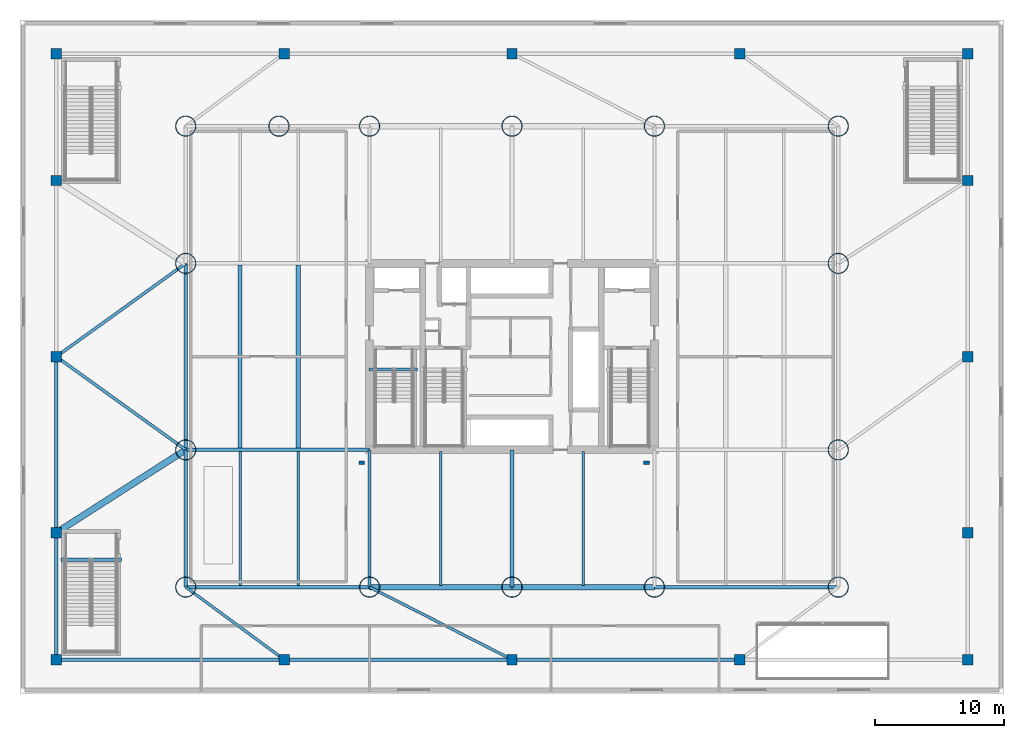
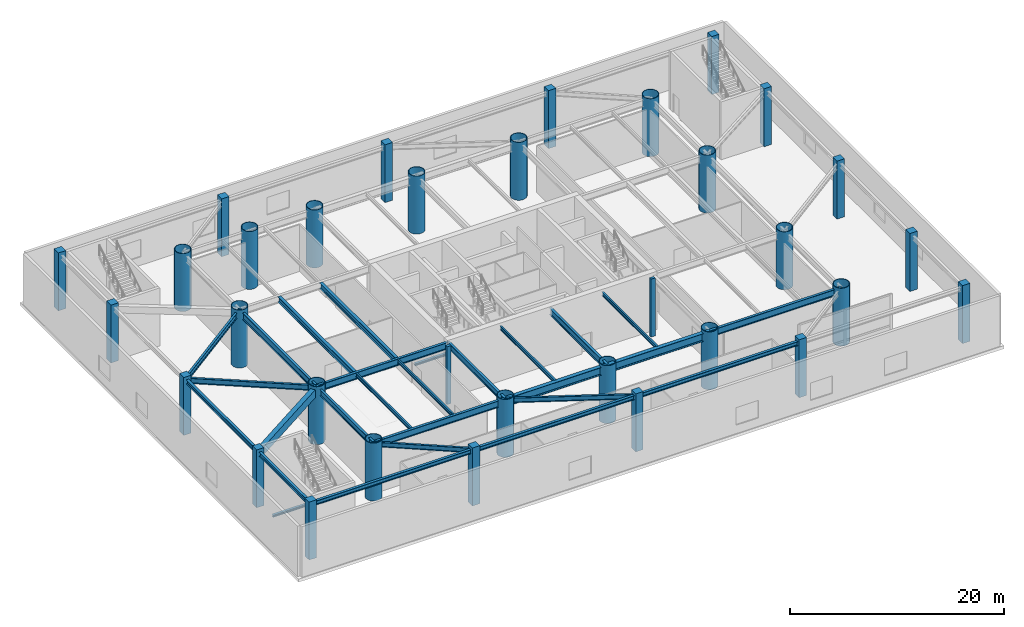
# One storey, part 1 of 16: 33 columns, 27 beams.
"""IFC4 building model written with IfcOpenShell, lengths in metres."""

from ifc_helpers import new_model, si_unit, direction, frame, origin, origin_2d, place, context, subcontext, project, spatial, rectangle, hollow_circle, i_section, extrude, material, material_profile, profile_set, type_object, element, save


model = new_model("IFC4")

# Units and contexts
model_context = context("Model", 3, precision=1e-05, world=origin(), true_north=direction((0.0, 1.0)))
body_context = subcontext(model_context, "Body", "Model", "MODEL_VIEW")
ifc_project = project(units=[si_unit("LENGTHUNIT", "METRE"), si_unit("AREAUNIT", "SQUARE_METRE"), si_unit("VOLUMEUNIT", "CUBIC_METRE"), si_unit("PLANEANGLEUNIT", "RADIAN"), si_unit("MASSUNIT", "GRAM", prefix="KILO")], contexts=[model_context])

# Site, building, storey
site_placement = place(None, origin())
site = spatial("IfcSite", under=ifc_project, at=site_placement, CompositionType="ELEMENT")
building_placement = place(site_placement, origin())
building = spatial("IfcBuilding", under=site, at=building_placement, Name="Bramvorn Convention Spire", CompositionType="ELEMENT")
storey_placement = place(building_placement, frame((0.0, 0.0, 12.0)))
storey = spatial("IfcBuildingStorey", under=building, at=storey_placement, Name="L02", CompositionType="ELEMENT", Elevation=12.0)

# Columns
ifc_material_1 = material(Name="Steel CSA G40.21 Grade 350 (350W)", Category="steel")
ifc_material_profile_1 = material_profile(ifc_material_1, hollow_circle(Radius=0.800048828125, WallThickness=0.06005859375, at=origin_2d()))
ifc_profile_set_1 = profile_set([ifc_material_profile_1], Name="Steel CSA G40.21 Grade 350 (350W) - CFT1600X60")
column_type_1 = type_object("IfcColumnType", Name="COL-CFT1600X60", PredefinedType="COLUMN", material=ifc_profile_set_1)
for number, where, z_axis, x_axis, name in (
    (1, (12.800048828125, 8.199951171875, 0.0), (0.0, 0.0, 1.0), (1.0, 0.0, 0.0), "L02 podium transfer mega-column PR01"),
    (2, (27.0, 8.199951171875, 0.0), (0.0, 0.0, 1.0), (1.0, 0.0, 0.0), "L02 podium transfer mega-column PR02"),
    (3, (38.0, 8.199951171875, 0.0), (0.0, 0.0, 1.0), (1.0, 0.0, 0.0), "L02 podium transfer mega-column PR13"),
    (4, (49.0, 8.199951171875, 0.0), (0.0, 0.0, 1.0), (1.0, 0.0, 0.0), "L02 podium transfer mega-column PR03"),
    (5, (63.199951171875, 8.199951171875, 0.0), (0.0, 0.0, 1.0), (1.0, 0.0, 0.0), "L02 podium transfer mega-column PR04"),
    (6, (12.800048828125, 18.800048828125, 0.0), (0.0, 0.0, 1.0), (1.0, 0.0, 0.0), "L02 podium transfer mega-column PR05"),
    (7, (63.199951171875, 18.800048828125, 0.0), (0.0, 0.0, 1.0), (1.0, 0.0, 0.0), "L02 podium transfer mega-column PR06"),
    (8, (12.800048828125, 33.199951171875, 0.0), (0.0, 0.0, 1.0), (1.0, 0.0, 0.0), "L02 podium transfer mega-column PR07"),
    (9, (63.199951171875, 33.199951171875, 0.0), (0.0, 0.0, 1.0), (1.0, 0.0, 0.0), "L02 podium transfer mega-column PR08"),
    (10, (12.800048828125, 43.800048828125, 0.0), (0.0, 0.0, 1.0), (1.0, 0.0, 0.0), "L02 podium transfer mega-column PR09"),
    (11, (20.0, 43.800048828125, 0.0), (0.0, 0.0, 1.0), (1.0, 0.0, 0.0), "L02 podium transfer mega-column PR15"),
    (12, (27.0, 43.800048828125, 0.0), (0.0, 0.0, 1.0), (1.0, 0.0, 0.0), "L02 podium transfer mega-column PR10"),
    (13, (38.0, 43.800048828125, 0.0), (0.0, 0.0, 1.0), (1.0, 0.0, 0.0), "L02 podium transfer mega-column PR14"),
    (14, (49.0, 43.800048828125, 0.0), (0.0, 0.0, 1.0), (1.0, 0.0, 0.0), "L02 podium transfer mega-column PR11"),
    (15, (63.199951171875, 43.800048828125, 0.0), (0.0, 0.0, 1.0), (1.0, 0.0, 0.0), "L02 podium transfer mega-column PR12"),
):
    element("IfcColumn", number, at=place(storey_placement, frame(where, z_axis=z_axis, x_axis=x_axis)), inside=storey, type_object=column_type_1, Name=name, PredefinedType="COLUMN", context=body_context, shape_type="SweptSolid", body=[
        extrude(hollow_circle(Radius=0.800048828125, WallThickness=0.06005859375, at=origin_2d()), origin(), (0.0, 0.0, 1.0), 6.60009765625),
    ])
ifc_material_2 = material(Name="Concrete C40/50 Precast Limestone Pilaster", Category="masonry")
ifc_material_profile_2 = material_profile(ifc_material_2, rectangle(XDim=0.449951171875, YDim=0.300048828125, at=origin_2d()))
ifc_profile_set_2 = profile_set([ifc_material_profile_2], Name="Concrete C40/50 Precast Limestone Pilaster - PILASTER450X300")
column_type_2 = type_object("IfcColumnType", Name="COL-PILASTER-450", PredefinedType="PILASTER", material=ifc_profile_set_2)
for number, where, z_axis, x_axis, name in (
    (16, (26.39990234375, 17.800048828125, 0.0), (0.0, 0.0, 1.0), (1.0, 0.0, 0.0), "L02 Foyer architectural pilaster 1"),
    (17, (48.39990234375, 17.800048828125, 0.0), (0.0, 0.0, 1.0), (1.0, 0.0, 0.0), "L02 Foyer architectural pilaster 2"),
):
    element("IfcColumn", number, at=place(storey_placement, frame(where, z_axis=z_axis, x_axis=x_axis)), inside=storey, type_object=column_type_2, Name=name, PredefinedType="PILASTER", context=body_context, shape_type="SweptSolid", body=[
        extrude(rectangle(XDim=0.449951171875, YDim=0.300048828125, at=origin_2d()), origin(), (0.0, 0.0, 1.0), 6.60009765625),
    ])
ifc_material_3 = material(Name="Concrete C60/70", Category="concrete")
ifc_material_profile_3 = material_profile(ifc_material_3, rectangle(XDim=0.800048828125, YDim=0.800048828125, at=origin_2d()))
ifc_profile_set_3 = profile_set([ifc_material_profile_3], Name="Concrete C60/70 - RC800X800")
column_type_3 = type_object("IfcColumnType", Name="COL-RC800X800", PredefinedType="COLUMN", material=ifc_profile_set_3)
for number, where, z_axis, x_axis, name in (
    (18, (2.800048828125, 2.60009765625, 0.0), (0.0, 0.0, 1.0), (1.0, 0.0, 0.0), "L02 podium perimeter column PC01"),
    (19, (2.800048828125, 12.39990234375, 0.0), (0.0, 0.0, 1.0), (1.0, 0.0, 0.0), "L02 podium perimeter column PC02"),
    (20, (2.800048828125, 26.0, 0.0), (0.0, 0.0, 1.0), (1.0, 0.0, 0.0), "L02 podium perimeter column PC03"),
    (21, (2.800048828125, 39.60009765625, 0.0), (0.0, 0.0, 1.0), (1.0, 0.0, 0.0), "L02 podium perimeter column PC04"),
    (22, (2.800048828125, 49.39990234375, 0.0), (0.0, 0.0, 1.0), (1.0, 0.0, 0.0), "L02 podium perimeter column PC05"),
    (23, (73.199951171875, 2.60009765625, 0.0), (0.0, 0.0, 1.0), (1.0, 0.0, 0.0), "L02 podium perimeter column PC06"),
    (24, (73.199951171875, 12.39990234375, 0.0), (0.0, 0.0, 1.0), (1.0, 0.0, 0.0), "L02 podium perimeter column PC07"),
    (25, (73.199951171875, 26.0, 0.0), (0.0, 0.0, 1.0), (1.0, 0.0, 0.0), "L02 podium perimeter column PC08"),
    (26, (73.199951171875, 39.60009765625, 0.0), (0.0, 0.0, 1.0), (1.0, 0.0, 0.0), "L02 podium perimeter column PC09"),
    (27, (73.199951171875, 49.39990234375, 0.0), (0.0, 0.0, 1.0), (1.0, 0.0, 0.0), "L02 podium perimeter column PC10"),
    (28, (20.39990234375, 2.60009765625, 0.0), (0.0, 0.0, 1.0), (1.0, 0.0, 0.0), "L02 podium perimeter column PC11"),
    (29, (38.0, 2.60009765625, 0.0), (0.0, 0.0, 1.0), (1.0, 0.0, 0.0), "L02 podium perimeter column PC12"),
    (30, (55.60009765625, 2.60009765625, 0.0), (0.0, 0.0, 1.0), (1.0, 0.0, 0.0), "L02 podium perimeter column PC13"),
    (31, (20.39990234375, 49.39990234375, 0.0), (0.0, 0.0, 1.0), (1.0, 0.0, 0.0), "L02 podium perimeter column PC14"),
    (32, (38.0, 49.39990234375, 0.0), (0.0, 0.0, 1.0), (1.0, 0.0, 0.0), "L02 podium perimeter column PC15"),
    (33, (55.60009765625, 49.39990234375, 0.0), (0.0, 0.0, 1.0), (1.0, 0.0, 0.0), "L02 podium perimeter column PC16"),
):
    element("IfcColumn", number, at=place(storey_placement, frame(where, z_axis=z_axis, x_axis=x_axis)), inside=storey, type_object=column_type_3, Name=name, PredefinedType="COLUMN", context=body_context, shape_type="SweptSolid", body=[
        extrude(rectangle(XDim=0.800048828125, YDim=0.800048828125, at=origin_2d()), origin(), (0.0, 0.0, 1.0), 6.60009765625),
    ])

# Beams
ifc_material_4 = material(Name="Concrete C50/60", Category="concrete")
ifc_material_profile_4 = material_profile(ifc_material_4, rectangle(XDim=0.5, YDim=0.89990234375, at=origin_2d()))
ifc_profile_set_4 = profile_set([ifc_material_profile_4], Name="Concrete C50/60 - RC500X900")
beam_type_1 = type_object("IfcBeamType", Name="BM-RC500X900", PredefinedType="BEAM", material=ifc_profile_set_4)
beam_1_placement = place(storey_placement, frame((2.800048828125, 12.39990234375, 5.800048828125), z_axis=(0.842265798855, 0.539062449145, 0.0), x_axis=(-0.539062449145, 0.842265798855, 0.0)))
element("IfcBeam", 34, at=beam_1_placement, inside=storey, type_object=beam_type_1, Name="L02 reinforced concrete marshalling tie beam 1", PredefinedType="BEAM", context=body_context, shape_type="SweptSolid", body=[
    extrude(rectangle(XDim=0.5, YDim=0.89990234375, at=origin_2d()), origin(), (0.0, 0.0, 1.0), 11.872802734375),
])
ifc_material_profile_5 = material_profile(ifc_material_1, i_section(OverallWidth=0.25390625, OverallDepth=0.2529296875, WebThickness=0.008544921875, FlangeThickness=0.01416015625, FilletRadius=0.011962890625, at=origin_2d()))
ifc_profile_set_5 = profile_set([ifc_material_profile_5], Name="Steel CSA G40.21 Grade 350 (350W) - W250X73")
beam_type_2 = type_object("IfcBeamType", Name="BM-W250X73", PredefinedType="BEAM", material=ifc_profile_set_5)
beam_2_placement = place(storey_placement, frame((26.949951171875, 25.010009765625, -0.12646484375), z_axis=(1.0, 0.0, 0.0), x_axis=(0.0, 1.0, 0.0)))
element("IfcBeam", 35, at=beam_2_placement, inside=storey, type_object=beam_type_2, Name="L02 ST1 stair arrival header beam", PredefinedType="BEAM", context=body_context, shape_type="SweptSolid", body=[
    extrude(i_section(OverallWidth=0.25390625, OverallDepth=0.2529296875, WebThickness=0.008544921875, FlangeThickness=0.01416015625, FilletRadius=0.011962890625, at=origin_2d()), origin(), (0.0, 0.0, 1.0), 3.739990234375),
])
beam_3_placement = place(storey_placement, frame((3.14990234375, 10.31005859375, -0.12646484375), z_axis=(1.0, 0.0, 0.0), x_axis=(0.0, 1.0, 0.0)))
element("IfcBeam", 36, at=beam_3_placement, inside=storey, type_object=beam_type_2, Name="L02 ST4 stair arrival header beam", PredefinedType="BEAM", context=body_context, shape_type="SweptSolid", body=[
    extrude(i_section(OverallWidth=0.25390625, OverallDepth=0.2529296875, WebThickness=0.008544921875, FlangeThickness=0.01416015625, FilletRadius=0.011962890625, at=origin_2d()), origin(), (0.0, 0.0, 1.0), 4.68017578125),
])
ifc_material_profile_6 = material_profile(ifc_material_1, i_section(OverallWidth=0.180908203125, OverallDepth=0.4169921875, WebThickness=0.010986328125, FlangeThickness=0.018310546875, FilletRadius=0.01611328125, at=origin_2d()))
ifc_profile_set_6 = profile_set([ifc_material_profile_6], Name="Steel CSA G40.21 Grade 350 (350W) - W410X85")
beam_type_3 = type_object("IfcBeamType", Name="BM-W410X85", PredefinedType="JOIST", material=ifc_profile_set_6)
for number, where, z_axis, x_axis, name in (
    (37, (17.0, 8.340087890625, 6.04150390625), (0.0, 1.0, 0.0), (-1.0, 0.0, 0.0), "L02 side hall joist S-1"),
    (38, (21.5, 8.340087890625, 6.04150390625), (0.0, 1.0, 0.0), (-1.0, 0.0, 0.0), "L02 side hall joist S-2"),
    (39, (32.5, 8.340087890625, 6.04150390625), (0.0, 1.0, 0.0), (-1.0, 0.0, 0.0), "L02 south hall composite joist 3"),
    (40, (43.5, 8.340087890625, 6.04150390625), (0.0, 1.0, 0.0), (-1.0, 0.0, 0.0), "L02 south hall composite joist 4"),
):
    element("IfcBeam", number, at=place(storey_placement, frame(where, z_axis=z_axis, x_axis=x_axis)), inside=storey, type_object=beam_type_3, Name=name, PredefinedType="JOIST", context=body_context, shape_type="SweptSolid", body=[
        extrude(i_section(OverallWidth=0.180908203125, OverallDepth=0.4169921875, WebThickness=0.010986328125, FlangeThickness=0.018310546875, FilletRadius=0.01611328125, at=origin_2d()), origin(), (0.0, 0.0, 1.0), 10.31982421875),
    ])
ifc_material_profile_7 = material_profile(ifc_material_1, i_section(OverallWidth=0.283935546875, OverallDepth=0.47607421875, WebThickness=0.014892578125, FlangeThickness=0.02392578125, FilletRadius=0.01806640625, at=origin_2d()))
ifc_profile_set_7 = profile_set([ifc_material_profile_7], Name="Steel CSA G40.21 Grade 350 (350W) - W460X158")
beam_type_4 = type_object("IfcBeamType", Name="BM-W460X158", PredefinedType="SPANDREL", material=ifc_profile_set_7)
beam_4_placement = place(storey_placement, frame((2.800048828125, 2.60009765625, 6.011962890625), z_axis=(1.0, 0.0, 0.0), x_axis=(0.0, 1.0, 0.0)))
element("IfcBeam", 41, at=beam_4_placement, inside=storey, type_object=beam_type_4, Name="L02 podium spandrel beam 01", PredefinedType="SPANDREL", context=body_context, shape_type="SweptSolid", body=[
    extrude(i_section(OverallWidth=0.283935546875, OverallDepth=0.47607421875, WebThickness=0.014892578125, FlangeThickness=0.02392578125, FilletRadius=0.01806640625, at=origin_2d()), origin(), (0.0, 0.0, 1.0), 17.599853515625),
])
for number, where, z_axis, x_axis, name in (
    (42, (20.39990234375, 2.60009765625, 6.011962890625), (1.0, 0.0, 0.0), (0.0, 1.0, 0.0), "L02 podium spandrel beam 02"),
    (43, (38.0, 2.60009765625, 6.011962890625), (1.0, 0.0, 0.0), (0.0, 1.0, 0.0), "L02 podium spandrel beam 03"),
):
    element("IfcBeam", number, at=place(storey_placement, frame(where, z_axis=z_axis, x_axis=x_axis)), inside=storey, type_object=beam_type_4, Name=name, PredefinedType="SPANDREL", context=body_context, shape_type="SweptSolid", body=[
        extrude(i_section(OverallWidth=0.283935546875, OverallDepth=0.47607421875, WebThickness=0.014892578125, FlangeThickness=0.02392578125, FilletRadius=0.01806640625, at=origin_2d()), origin(), (0.0, 0.0, 1.0), 17.60009765625),
    ])
beam_5_placement = place(storey_placement, frame((2.800048828125, 26.0, 6.011962890625), z_axis=(0.0, -1.0, 0.0), x_axis=(1.0, 0.0, 0.0)))
element("IfcBeam", 44, at=beam_5_placement, inside=storey, type_object=beam_type_4, Name="L02 podium spandrel beam 15", PredefinedType="SPANDREL", context=body_context, shape_type="SweptSolid", body=[
    extrude(i_section(OverallWidth=0.283935546875, OverallDepth=0.47607421875, WebThickness=0.014892578125, FlangeThickness=0.02392578125, FilletRadius=0.01806640625, at=origin_2d()), origin(), (0.0, 0.0, 1.0), 13.60009765625),
])
beam_6_placement = place(storey_placement, frame((2.800048828125, 12.39990234375, 6.011962890625), z_axis=(0.0, -1.0, 0.0), x_axis=(1.0, 0.0, 0.0)))
element("IfcBeam", 45, at=beam_6_placement, inside=storey, type_object=beam_type_4, Name="L02 podium spandrel beam 16", PredefinedType="SPANDREL", context=body_context, shape_type="SweptSolid", body=[
    extrude(i_section(OverallWidth=0.283935546875, OverallDepth=0.47607421875, WebThickness=0.014892578125, FlangeThickness=0.02392578125, FilletRadius=0.01806640625, at=origin_2d()), origin(), (0.0, 0.0, 1.0), 9.7998046875),
])
ifc_material_profile_8 = material_profile(ifc_material_1, i_section(OverallWidth=0.2119140625, OverallDepth=0.5439453125, WebThickness=0.01318359375, FlangeThickness=0.021240234375, FilletRadius=0.01904296875, at=origin_2d()))
ifc_profile_set_8 = profile_set([ifc_material_profile_8], Name="Steel CSA G40.21 Grade 350 (350W) - W530X123")
beam_type_5 = type_object("IfcBeamType", Name="BM-W530X123", PredefinedType="BEAM", material=ifc_profile_set_8)
beam_7_placement = place(storey_placement, frame((20.39990234375, 2.60009765625, 5.97802734375), z_axis=(-0.805057787445, 0.593196391488, 0.0), x_axis=(-0.593196391488, -0.805057787445, 0.0)))
element("IfcBeam", 46, at=beam_7_placement, inside=storey, type_object=beam_type_5, Name="L02 podium primary girder 28", PredefinedType="BEAM", context=body_context, shape_type="SweptSolid", body=[
    extrude(i_section(OverallWidth=0.2119140625, OverallDepth=0.5439453125, WebThickness=0.01318359375, FlangeThickness=0.021240234375, FilletRadius=0.01904296875, at=origin_2d()), origin(), (0.0, 0.0, 1.0), 9.440185546875),
])
beam_8_placement = place(storey_placement, frame((38.0, 2.60009765625, 5.97802734375), z_axis=(-0.891167913636, 0.453673615835, 0.0), x_axis=(-0.453673615835, -0.891167913636, 0.0)))
element("IfcBeam", 47, at=beam_8_placement, inside=storey, type_object=beam_type_5, Name="L02 podium primary girder 29", PredefinedType="BEAM", context=body_context, shape_type="SweptSolid", body=[
    extrude(i_section(OverallWidth=0.2119140625, OverallDepth=0.5439453125, WebThickness=0.01318359375, FlangeThickness=0.021240234375, FilletRadius=0.01904296875, at=origin_2d()), origin(), (0.0, 0.0, 1.0), 12.34326171875),
])
ifc_material_profile_9 = material_profile(ifc_material_1, i_section(OverallWidth=0.22998046875, OverallDepth=0.616943359375, WebThickness=0.01318359375, FlangeThickness=0.022216796875, FilletRadius=0.02001953125, at=origin_2d()))
ifc_profile_set_9 = profile_set([ifc_material_profile_9], Name="Steel CSA G40.21 Grade 350 (350W) - W610X140")
beam_type_6 = type_object("IfcBeamType", Name="BM-W610X140", PredefinedType="BEAM", material=ifc_profile_set_9)
for number, where, z_axis, x_axis, name in (
    (48, (2.800048828125, 26.0, 5.94140625), (0.811536220436, -0.584302116135, 0.0), (0.584302116135, 0.811536220436, 0.0), "L02 podium primary girder 26"),
    (49, (2.800048828125, 26.0, 5.94140625), (0.811536220436, 0.584302116135, 0.0), (-0.584302116135, 0.811536220436, 0.0), "L02 podium primary girder 27"),
):
    element("IfcBeam", number, at=place(storey_placement, frame(where, z_axis=z_axis, x_axis=x_axis)), inside=storey, type_object=beam_type_6, Name=name, PredefinedType="BEAM", context=body_context, shape_type="SweptSolid", body=[
        extrude(i_section(OverallWidth=0.22998046875, OverallDepth=0.616943359375, WebThickness=0.01318359375, FlangeThickness=0.022216796875, FilletRadius=0.02001953125, at=origin_2d()), origin(), (0.0, 0.0, 1.0), 12.322265625),
    ])
ifc_material_profile_10 = material_profile(ifc_material_1, i_section(OverallWidth=0.327880859375, OverallDepth=0.6279296875, WebThickness=0.0166015625, FlangeThickness=0.027587890625, FilletRadius=0.02001953125, at=origin_2d()))
ifc_profile_set_10 = profile_set([ifc_material_profile_10], Name="Steel CSA G40.21 Grade 350 (350W) - W610X217")
beam_type_7 = type_object("IfcBeamType", Name="BM-W610X217", PredefinedType="BEAM", material=ifc_profile_set_10)
for number, where, z_axis, x_axis, name in (
    (50, (17.0, 18.93994140625, 5.93603515625), (0.0, 1.0, 0.0), (-1.0, 0.0, 0.0), "L02 main exhibition clear-span joist M-1"),
    (51, (21.5, 18.93994140625, 5.93603515625), (0.0, 1.0, 0.0), (-1.0, 0.0, 0.0), "L02 main exhibition clear-span joist M-2"),
):
    element("IfcBeam", number, at=place(storey_placement, frame(where, z_axis=z_axis, x_axis=x_axis)), inside=storey, type_object=beam_type_7, Name=name, PredefinedType="BEAM", context=body_context, shape_type="SweptSolid", body=[
        extrude(i_section(OverallWidth=0.327880859375, OverallDepth=0.6279296875, WebThickness=0.0166015625, FlangeThickness=0.027587890625, FilletRadius=0.02001953125, at=origin_2d()), origin(), (0.0, 0.0, 1.0), 14.1201171875),
    ])
ifc_material_profile_11 = material_profile(ifc_material_1, i_section(OverallWidth=0.256103515625, OverallDepth=0.693115234375, WebThickness=0.014404296875, FlangeThickness=0.023681640625, FilletRadius=0.02197265625, at=origin_2d()))
ifc_profile_set_11 = profile_set([ifc_material_profile_11], Name="Steel CSA G40.21 Grade 350 (350W) - W690X170")
beam_type_8 = type_object("IfcBeamType", Name="BM-W690X170", PredefinedType="BEAM", material=ifc_profile_set_11)
for number, where, z_axis, x_axis, name in (
    (52, (12.800048828125, 8.199951171875, 5.903564453125), (0.0, 1.0, 0.0), (-1.0, 0.0, 0.0), "L02 podium primary girder 12"),
    (53, (27.0, 8.199951171875, 5.903564453125), (0.0, 1.0, 0.0), (-1.0, 0.0, 0.0), "L02 podium primary girder 22"),
):
    element("IfcBeam", number, at=place(storey_placement, frame(where, z_axis=z_axis, x_axis=x_axis)), inside=storey, type_object=beam_type_8, Name=name, PredefinedType="BEAM", context=body_context, shape_type="SweptSolid", body=[
        extrude(i_section(OverallWidth=0.256103515625, OverallDepth=0.693115234375, WebThickness=0.014404296875, FlangeThickness=0.023681640625, FilletRadius=0.02197265625, at=origin_2d()), origin(), (0.0, 0.0, 1.0), 10.60009765625),
    ])
ifc_material_profile_12 = material_profile(ifc_material_1, i_section(OverallWidth=0.27099609375, OverallDepth=0.76806640625, WebThickness=0.0166015625, FlangeThickness=0.02685546875, FilletRadius=0.02197265625, at=origin_2d()))
ifc_profile_set_12 = profile_set([ifc_material_profile_12], Name="Steel CSA G40.21 Grade 350 (350W) - W760X220")
beam_type_9 = type_object("IfcBeamType", Name="BM-W760X220", PredefinedType="BEAM", material=ifc_profile_set_12)
for number, where, z_axis, x_axis, name in (
    (54, (12.800048828125, 8.199951171875, 5.865966796875), (1.0, 0.0, 0.0), (0.0, 1.0, 0.0), "L02 podium primary girder 01"),
    (55, (49.0, 8.199951171875, 5.865966796875), (1.0, 0.0, 0.0), (0.0, 1.0, 0.0), "L02 podium primary girder 04"),
):
    element("IfcBeam", number, at=place(storey_placement, frame(where, z_axis=z_axis, x_axis=x_axis)), inside=storey, type_object=beam_type_9, Name=name, PredefinedType="BEAM", context=body_context, shape_type="SweptSolid", body=[
        extrude(i_section(OverallWidth=0.27099609375, OverallDepth=0.76806640625, WebThickness=0.0166015625, FlangeThickness=0.02685546875, FilletRadius=0.02197265625, at=origin_2d()), origin(), (0.0, 0.0, 1.0), 14.199951171875),
    ])
beam_9_placement = place(storey_placement, frame((38.0, 8.199951171875, 5.865966796875), z_axis=(0.0, 1.0, 0.0), x_axis=(-1.0, 0.0, 0.0)))
element("IfcBeam", 56, at=beam_9_placement, inside=storey, type_object=beam_type_9, Name="L02 podium primary girder 09", PredefinedType="BEAM", context=body_context, shape_type="SweptSolid", body=[
    extrude(i_section(OverallWidth=0.27099609375, OverallDepth=0.76806640625, WebThickness=0.0166015625, FlangeThickness=0.02685546875, FilletRadius=0.02197265625, at=origin_2d()), origin(), (0.0, 0.0, 1.0), 10.60009765625),
])
beam_10_placement = place(storey_placement, frame((12.800048828125, 18.800048828125, 5.865966796875), z_axis=(0.0, 1.0, 0.0), x_axis=(-1.0, 0.0, 0.0)))
element("IfcBeam", 57, at=beam_10_placement, inside=storey, type_object=beam_type_9, Name="L02 podium primary girder 13", PredefinedType="BEAM", context=body_context, shape_type="SweptSolid", body=[
    extrude(i_section(OverallWidth=0.27099609375, OverallDepth=0.76806640625, WebThickness=0.0166015625, FlangeThickness=0.02685546875, FilletRadius=0.02197265625, at=origin_2d()), origin(), (0.0, 0.0, 1.0), 14.39990234375),
])
beam_11_placement = place(storey_placement, frame((12.800048828125, 18.800048828125, 5.865966796875), z_axis=(1.0, 0.0, 0.0), x_axis=(0.0, 1.0, 0.0)))
element("IfcBeam", 58, at=beam_11_placement, inside=storey, type_object=beam_type_9, Name="L02 podium primary girder 18", PredefinedType="BEAM", context=body_context, shape_type="SweptSolid", body=[
    extrude(i_section(OverallWidth=0.27099609375, OverallDepth=0.76806640625, WebThickness=0.0166015625, FlangeThickness=0.02685546875, FilletRadius=0.02197265625, at=origin_2d()), origin(), (0.0, 0.0, 1.0), 14.199951171875),
])
ifc_material_profile_13 = material_profile(ifc_material_1, i_section(OverallWidth=0.41796875, OverallDepth=0.912109375, WebThickness=0.019287109375, FlangeThickness=0.031982421875, FilletRadius=0.02392578125, at=origin_2d()))
ifc_profile_set_13 = profile_set([ifc_material_profile_13], Name="Steel CSA G40.21 Grade 350 (350W) - W920X342")
beam_type_10 = type_object("IfcBeamType", Name="BM-W920X342", PredefinedType="BEAM", material=ifc_profile_set_13)
for number, where, z_axis, x_axis, name in (
    (59, (27.0, 8.199951171875, 5.7939453125), (1.0, 0.0, 0.0), (0.0, 1.0, 0.0), "L02 podium primary girder 02"),
    (60, (38.0, 8.199951171875, 5.7939453125), (1.0, 0.0, 0.0), (0.0, 1.0, 0.0), "L02 podium primary girder 03"),
):
    element("IfcBeam", number, at=place(storey_placement, frame(where, z_axis=z_axis, x_axis=x_axis)), inside=storey, type_object=beam_type_10, Name=name, PredefinedType="BEAM", context=body_context, shape_type="SweptSolid", body=[
        extrude(i_section(OverallWidth=0.41796875, OverallDepth=0.912109375, WebThickness=0.019287109375, FlangeThickness=0.031982421875, FilletRadius=0.02392578125, at=origin_2d()), origin(), (0.0, 0.0, 1.0), 11.0),
    ])

save(model, "model.ifc")
